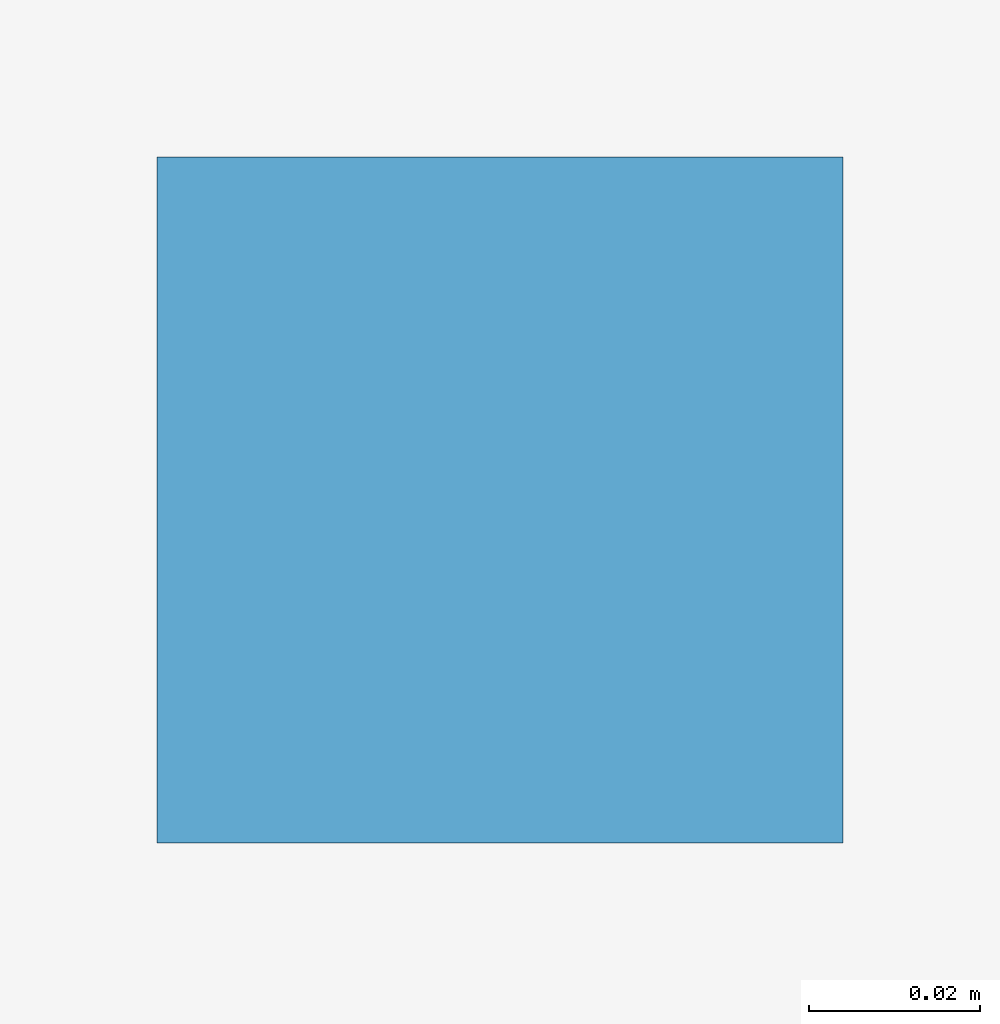
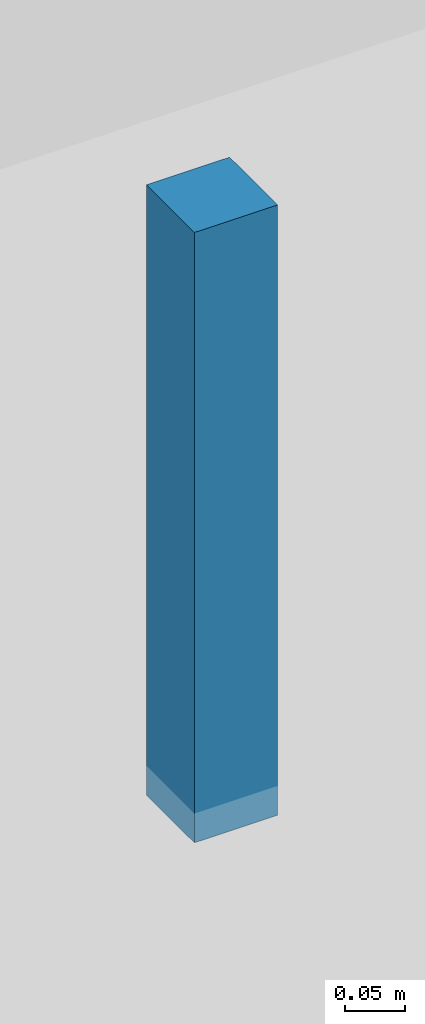
# One storey, part 11 of 15: 1 discrete accessory.
"""IFC4 building model written with IfcOpenShell, lengths in metres."""

from ifc_helpers import new_model, si_unit, direction, frame, origin, origin_2d, place, context, subcontext, project, spatial, rectangle, extrude, source, transform, mapped, material, type_object, element, save


model = new_model("IFC4")

# Units and contexts
model_context = context("Model", 3, precision=1e-05, world=origin(), true_north=direction((0.0, 1.0)))
body_context = subcontext(model_context, "Body", "Model", "MODEL_VIEW")
ifc_project = project(units=[si_unit("LENGTHUNIT", "METRE"), si_unit("AREAUNIT", "SQUARE_METRE"), si_unit("VOLUMEUNIT", "CUBIC_METRE"), si_unit("PLANEANGLEUNIT", "RADIAN"), si_unit("MASSUNIT", "GRAM", prefix="KILO")], contexts=[model_context])

# Site, building, storey
site_placement = place(None, origin())
site = spatial("IfcSite", under=ifc_project, at=site_placement, CompositionType="ELEMENT")
building_placement = place(site_placement, origin())
building = spatial("IfcBuilding", under=site, at=building_placement, Name="Giltprow Tower", CompositionType="ELEMENT")
storey_placement = place(building_placement, frame((0.0, 0.0, 187.699951171875)))
storey = spatial("IfcBuildingStorey", under=building, at=storey_placement, Name="L47", CompositionType="ELEMENT", Elevation=187.699951171875)

# Discrete accessory
ifc_material = material(Name="Structural steel Q355B", Category="steel")
discrete_accessory_type = type_object("IfcDiscreteAccessoryType", Name="ACC-CLG-HANGER", PredefinedType="BRACKET", material=ifc_material)
shared_shape = source(origin(), body_context, "Body", "SweptSolid", [
    extrude(rectangle(XDim=0.080078125, YDim=0.080078125, at=origin_2d()), origin(), (0.0, 0.0, 1.0), 0.6201171875),
])
discrete_accessory_placement = place(storey_placement, frame((35.0, 36.10009765625, 2.619873046875), z_axis=(0.0, 0.0, 1.0), x_axis=(1.0, 0.0, 0.0)))
element("IfcDiscreteAccessory", 1, at=discrete_accessory_placement, inside=storey, type_object=discrete_accessory_type, Name="L47 Hotel Corridor Gypsum Ceiling Suspension Hanger", PredefinedType="BRACKET", context=body_context, shape_type="MappedRepresentation", body=[
    mapped(shared_shape, transform((0.0, 0.0, 0.0), x_axis=(1.0, 0.0, 0.0), y_axis=(0.0, 1.0, 0.0), z_axis=(0.0, 0.0, 1.0), scale=1.0)),
])

save(model, "model.ifc")
